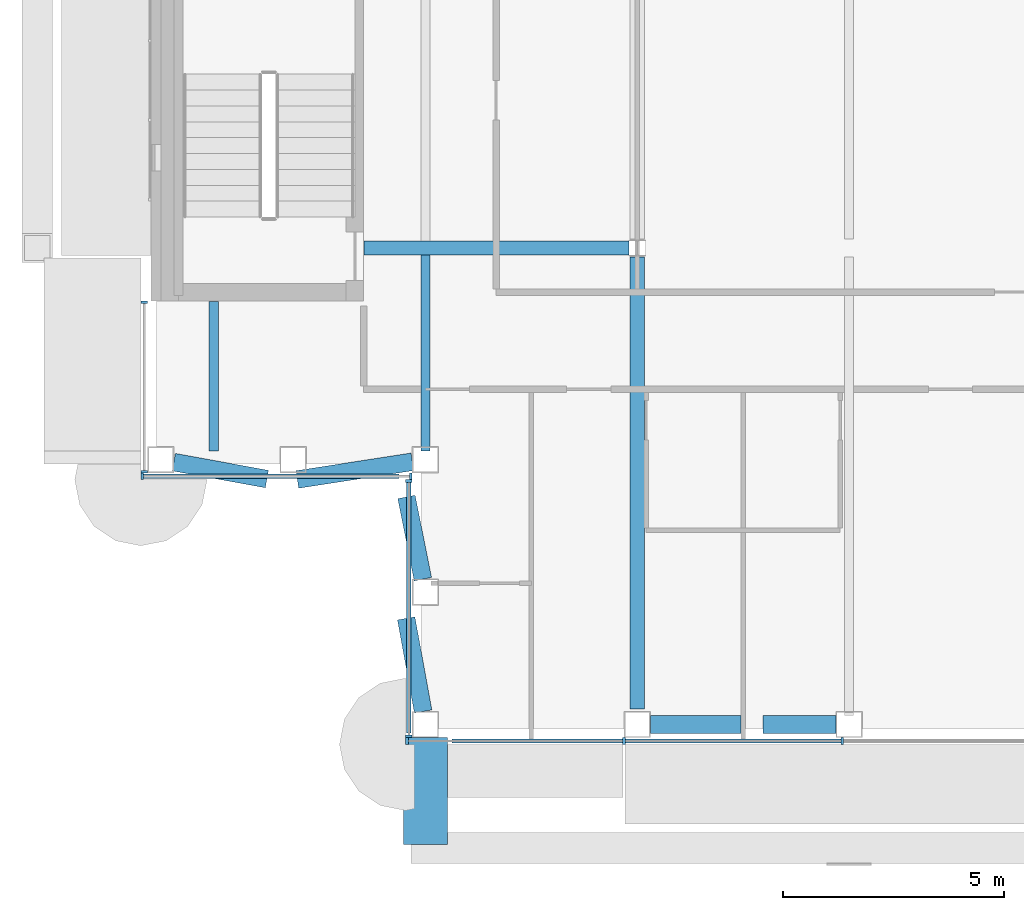
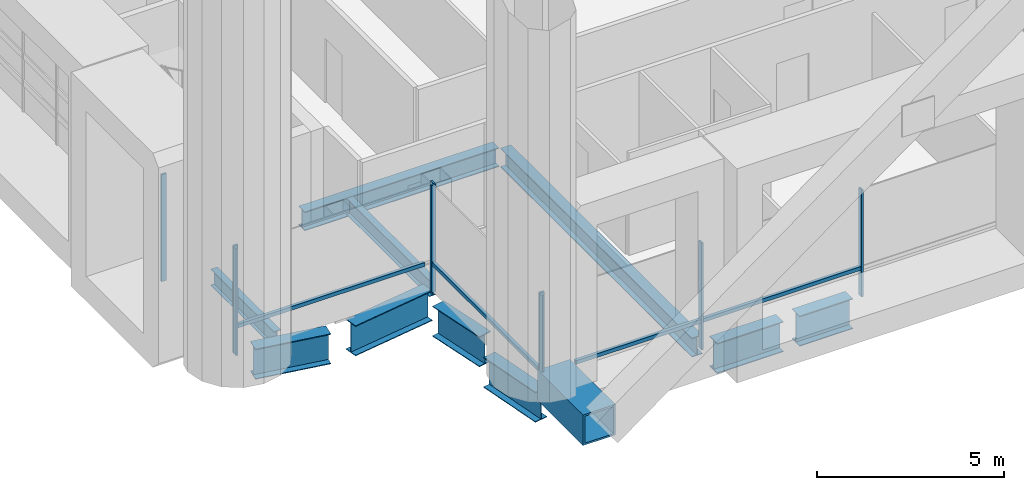
# One storey, part 4 of 29: 13 members, 11 beams, 4 elements without a shape of their own.
"""IFC4 building model written with IfcOpenShell, lengths in metres."""

from ifc_helpers import new_model, si_unit, direction, frame, origin, origin_2d, place, context, subcontext, project, spatial, rectangle, hollow_rectangle, i_section, extrude, material, material_profile, profile_set, type_object, element, aggregate, save


model = new_model("IFC4")

# Units and contexts
model_context = context("Model", 3, precision=1e-05, world=origin(), true_north=direction((0.0, 1.0)))
body_context = subcontext(model_context, "Body", "Model", "MODEL_VIEW")
ifc_project = project(units=[si_unit("LENGTHUNIT", "METRE"), si_unit("AREAUNIT", "SQUARE_METRE"), si_unit("VOLUMEUNIT", "CUBIC_METRE"), si_unit("PLANEANGLEUNIT", "RADIAN"), si_unit("MASSUNIT", "GRAM", prefix="KILO")], contexts=[model_context])

# Site, building, storey
site_placement = place(None, origin())
site = spatial("IfcSite", under=ifc_project, at=site_placement, CompositionType="ELEMENT")
building_placement = place(site_placement, origin())
building = spatial("IfcBuilding", under=site, at=building_placement, Name="Cobrizo Arcos Hotel Tower", CompositionType="ELEMENT")
storey_placement = place(building_placement, frame((0.0, 0.0, 241.0)))
storey = spatial("IfcBuildingStorey", under=building, at=storey_placement, Name="L63", CompositionType="ELEMENT", Elevation=241.0)

# Beam
ifc_material_1 = material(Name="Steel ASTM A572 Grade 50", Category="steel")
ifc_material_profile_1 = material_profile(ifc_material_1, hollow_rectangle(XDim=1.0, YDim=1.0, WallThickness=0.06005859375, at=origin_2d()), Name="BOX 1000X1000X60")
ifc_profile_set_1 = profile_set([ifc_material_profile_1], Name="Steel ASTM A572 Grade 50")
beam_type_1 = type_object("IfcBeamType", Name="BOX 1000X1000X60 brace connector strut", PredefinedType="BEAM", material=ifc_profile_set_1)
beam_1_placement = place(storey_placement, frame((-14.39990234375, -20.68994140625, 0.5), z_axis=(0.0, -1.0, 0.0), x_axis=(1.0, 0.0, 0.0)))
element("IfcBeam", 1, at=beam_1_placement, inside=storey, type_object=beam_type_1, Name="Perimeter brace stub BS1, zone Z5, south face, offset -14.40 m, L63", PredefinedType="BEAM", context=body_context, shape_type="SweptSolid", body=[
    extrude(hollow_rectangle(XDim=1.0, YDim=1.0, WallThickness=0.06005859375, at=origin_2d()), origin(), (0.0, 0.0, 1.0), 2.43017578125),
])

# Curtain wall, members
ifc_material_2 = material(Name="Aluminium 6063-T6 anodised bronze", Category="aluminium")
curtain_wall_type = type_object("IfcCurtainWallType", Name="CW-A guest facade", PredefinedType="NOTDEFINED", material=ifc_material_2)
curtain_wall_1_placement = place(storey_placement, origin())
curtain_wall_1 = element("IfcCurtainWall", 2, at=curtain_wall_1_placement, inside=storey, type_object=curtain_wall_type, Name="CW-A L63 S face", PredefinedType="NOTDEFINED")
ifc_material_profile_2 = material_profile(ifc_material_2, rectangle(XDim=0.14990234375, YDim=0.06005859375, at=origin_2d()), Name="CW-A mullion 150x60")
ifc_profile_set_2 = profile_set([ifc_material_profile_2], Name="Aluminium 6063-T6 anodised bronze")
member_type_1 = type_object("IfcMemberType", Name="CW-A mullion 150x60", PredefinedType="MULLION", material=ifc_profile_set_2)
member_1_placement = place(storey_placement, frame((-14.820068359375, -20.77490234375, 0.0), z_axis=(0.0, 0.0, 1.0), x_axis=(0.0, -1.0, 0.0)))
member_1 = element("IfcMember", 3, at=member_1_placement, type_object=member_type_1, Name="CW-A mullion 1", PredefinedType="MULLION", context=body_context, shape_type="SweptSolid", body=[
    extrude(rectangle(XDim=0.14990234375, YDim=0.06005859375, at=origin_2d()), origin(), (0.0, 0.0, 1.0), 3.5),
])
member_2_placement = place(storey_placement, frame((-9.89990234375, -20.77490234375, 0.0), z_axis=(0.0, 0.0, 1.0), x_axis=(0.0, -1.0, 0.0)))
member_2 = element("IfcMember", 4, at=member_2_placement, type_object=member_type_1, Name="CW-A mullion 2", PredefinedType="MULLION", context=body_context, shape_type="SweptSolid", body=[
    extrude(rectangle(XDim=0.14990234375, YDim=0.06005859375, at=origin_2d()), origin(), (0.0, 0.0, 1.0), 3.5),
])
member_3_placement = place(storey_placement, frame((-4.949951171875, -20.77490234375, 0.0), z_axis=(0.0, 0.0, 1.0), x_axis=(0.0, -1.0, 0.0)))
member_3 = element("IfcMember", 5, at=member_3_placement, type_object=member_type_1, Name="CW-A mullion 3", PredefinedType="MULLION", context=body_context, shape_type="SweptSolid", body=[
    extrude(rectangle(XDim=0.14990234375, YDim=0.06005859375, at=origin_2d()), origin(), (0.0, 0.0, 1.0), 3.5),
])

curtain_wall_2_placement = place(storey_placement, origin())
curtain_wall_2 = element("IfcCurtainWall", 6, at=curtain_wall_2_placement, inside=storey, type_object=curtain_wall_type, Name="CW-A L63 W face", PredefinedType="NOTDEFINED")
member_4_placement = place(storey_placement, frame((-20.77490234375, -10.830078125, 0.0), z_axis=(0.0, 0.0, 1.0), x_axis=(-1.0, 0.0, 0.0)))
member_4 = element("IfcMember", 7, at=member_4_placement, type_object=member_type_1, Name="CW-A mullion 1", PredefinedType="MULLION", context=body_context, shape_type="SweptSolid", body=[
    extrude(rectangle(XDim=0.14990234375, YDim=0.06005859375, at=origin_2d()), origin(), (0.0, 0.0, 1.0), 3.5),
])
member_5_placement = place(storey_placement, frame((-20.77490234375, -14.669921875, 0.0), z_axis=(0.0, 0.0, 1.0), x_axis=(-1.0, 0.0, 0.0)))
member_5 = element("IfcMember", 8, at=member_5_placement, type_object=member_type_1, Name="CW-A mullion 2", PredefinedType="MULLION", context=body_context, shape_type="SweptSolid", body=[
    extrude(rectangle(XDim=0.14990234375, YDim=0.06005859375, at=origin_2d()), origin(), (0.0, 0.0, 1.0), 3.5),
])
aggregate(curtain_wall_2, [member_4, member_5])

curtain_wall_3_placement = place(storey_placement, origin())
curtain_wall_3 = element("IfcCurtainWall", 9, at=curtain_wall_3_placement, inside=storey, type_object=curtain_wall_type, Name="CW-A L63 S face", PredefinedType="NOTDEFINED")
member_6_placement = place(storey_placement, frame((-20.820068359375, -14.77490234375, 0.0), z_axis=(0.0, 0.0, 1.0), x_axis=(0.0, -1.0, 0.0)))
member_6 = element("IfcMember", 10, at=member_6_placement, type_object=member_type_1, Name="CW-A mullion 1", PredefinedType="MULLION", context=body_context, shape_type="SweptSolid", body=[
    extrude(rectangle(XDim=0.14990234375, YDim=0.06005859375, at=origin_2d()), origin(), (0.0, 0.0, 1.0), 3.5),
])
member_7_placement = place(storey_placement, frame((-14.72998046875, -14.77490234375, 0.0), z_axis=(0.0, 0.0, 1.0), x_axis=(0.0, -1.0, 0.0)))
member_7 = element("IfcMember", 11, at=member_7_placement, type_object=member_type_1, Name="CW-A mullion 2", PredefinedType="MULLION", context=body_context, shape_type="SweptSolid", body=[
    extrude(rectangle(XDim=0.14990234375, YDim=0.06005859375, at=origin_2d()), origin(), (0.0, 0.0, 1.0), 3.5),
])

curtain_wall_4_placement = place(storey_placement, origin())
curtain_wall_4 = element("IfcCurtainWall", 12, at=curtain_wall_4_placement, inside=storey, type_object=curtain_wall_type, Name="CW-A L63 W face", PredefinedType="NOTDEFINED")
member_8_placement = place(storey_placement, frame((-14.77490234375, -14.8798828125, 0.0), z_axis=(0.0, 0.0, 1.0), x_axis=(-1.0, 0.0, 0.0)))
member_8 = element("IfcMember", 13, at=member_8_placement, type_object=member_type_1, Name="CW-A mullion 1", PredefinedType="MULLION", context=body_context, shape_type="SweptSolid", body=[
    extrude(rectangle(XDim=0.14990234375, YDim=0.06005859375, at=origin_2d()), origin(), (0.0, 0.0, 1.0), 3.5),
])
member_9_placement = place(storey_placement, frame((-14.77490234375, -20.669921875, 0.0), z_axis=(0.0, 0.0, 1.0), x_axis=(-1.0, 0.0, 0.0)))
member_9 = element("IfcMember", 14, at=member_9_placement, type_object=member_type_1, Name="CW-A mullion 2", PredefinedType="MULLION", context=body_context, shape_type="SweptSolid", body=[
    extrude(rectangle(XDim=0.14990234375, YDim=0.06005859375, at=origin_2d()), origin(), (0.0, 0.0, 1.0), 3.5),
])

# Member
ifc_material_profile_3 = material_profile(ifc_material_2, rectangle(XDim=0.10009765625, YDim=0.1201171875, at=origin_2d()), Name="CW-A transom 120x100")
ifc_profile_set_3 = profile_set([ifc_material_profile_3], Name="Aluminium 6063-T6 anodised bronze")
member_type_2 = type_object("IfcMemberType", Name="CW-A transom 120x100", PredefinedType="USERDEFINED", material=ifc_profile_set_3)
member_10_placement = place(storey_placement, frame((-13.800048828125, -20.77490234375, 0.929931640625), z_axis=(1.0, 0.0, 0.0), x_axis=(0.0, 1.0, 0.0)))
member_10 = element("IfcMember", 15, at=member_10_placement, type_object=member_type_2, Name="CW-A transom 2012", ObjectType="TRANSOM", PredefinedType="USERDEFINED", context=body_context, shape_type="SweptSolid", body=[
    extrude(rectangle(XDim=0.10009765625, YDim=0.1201171875, at=origin_2d()), origin(), (0.0, 0.0, 1.0), 3.8701171875),
])

member_11_placement = place(storey_placement, frame((-9.8701171875, -20.77490234375, 0.929931640625), z_axis=(1.0, 0.0, 0.0), x_axis=(0.0, 1.0, 0.0)))
member_11 = element("IfcMember", 16, at=member_11_placement, type_object=member_type_2, Name="CW-A transom 2013", ObjectType="TRANSOM", PredefinedType="USERDEFINED", context=body_context, shape_type="SweptSolid", body=[
    extrude(rectangle(XDim=0.10009765625, YDim=0.1201171875, at=origin_2d()), origin(), (0.0, 0.0, 1.0), 4.89013671875),
])

aggregate(curtain_wall_1, [member_1, member_2, member_3, member_10, member_11])

member_12_placement = place(storey_placement, frame((-20.7900390625, -14.77490234375, 0.929931640625), z_axis=(1.0, 0.0, 0.0), x_axis=(0.0, 1.0, 0.0)))
member_12 = element("IfcMember", 17, at=member_12_placement, type_object=member_type_2, Name="CW-A transom 2034", ObjectType="TRANSOM", PredefinedType="USERDEFINED", context=body_context, shape_type="SweptSolid", body=[
    extrude(rectangle(XDim=0.10009765625, YDim=0.1201171875, at=origin_2d()), origin(), (0.0, 0.0, 1.0), 5.7900390625),
])

aggregate(curtain_wall_3, [member_6, member_7, member_12])

member_13_placement = place(storey_placement, frame((-14.77490234375, -14.909912109375, 0.929931640625), z_axis=(0.0, -1.0, 0.0), x_axis=(1.0, 0.0, 0.0)))
member_13 = element("IfcMember", 18, at=member_13_placement, type_object=member_type_2, Name="CW-A transom 2035", ObjectType="TRANSOM", PredefinedType="USERDEFINED", context=body_context, shape_type="SweptSolid", body=[
    extrude(rectangle(XDim=0.10009765625, YDim=0.1201171875, at=origin_2d()), origin(), (0.0, 0.0, 1.0), 5.68017578125),
])

aggregate(curtain_wall_4, [member_8, member_9, member_13])

# Beams
ifc_material_3 = material(Name="Steel ASTM A992 Grade 50", Category="steel")
ifc_material_profile_4 = material_profile(ifc_material_3, i_section(OverallWidth=0.209228515625, OverallDepth=0.533447265625, WebThickness=0.01025390625, FlangeThickness=0.015625, at=origin_2d()), Name="W21X62")
ifc_profile_set_4 = profile_set([ifc_material_profile_4], Name="Steel ASTM A992 Grade 50")
beam_type_2 = type_object("IfcBeamType", Name="W21X62 joist", PredefinedType="JOIST", material=ifc_profile_set_4)
beam_2_placement = place(storey_placement, frame((-19.199951171875, -14.199462890625, -0.416748046875), z_axis=(0.0, 1.0, 0.0), x_axis=(-1.0, 0.0, 0.0)))
element("IfcBeam", 19, at=beam_2_placement, inside=storey, type_object=beam_type_2, Name="Floor joist J1, L63, no. 001", PredefinedType="JOIST", context=body_context, shape_type="SweptSolid", body=[
    extrude(i_section(OverallWidth=0.209228515625, OverallDepth=0.533447265625, WebThickness=0.01025390625, FlangeThickness=0.015625, at=origin_2d()), origin(), (0.0, 0.0, 1.0), 3.389404296875),
])
beam_3_placement = place(storey_placement, frame((-14.39990234375, -14.199462890625, -0.416748046875), z_axis=(0.0, 1.0, 0.0), x_axis=(-1.0, 0.0, 0.0)))
element("IfcBeam", 20, at=beam_3_placement, inside=storey, type_object=beam_type_2, Name="Floor joist J1, L63, no. 003", PredefinedType="JOIST", context=body_context, shape_type="SweptSolid", body=[
    extrude(i_section(OverallWidth=0.209228515625, OverallDepth=0.533447265625, WebThickness=0.01025390625, FlangeThickness=0.015625, at=origin_2d()), origin(), (0.0, 0.0, 1.0), 4.435546875),
])
ifc_material_profile_5 = material_profile(ifc_material_3, i_section(OverallWidth=0.32763671875, OverallDepth=0.622314453125, WebThickness=0.015380859375, FlangeThickness=0.0244140625, at=origin_2d()), Name="W24X131")
ifc_profile_set_5 = profile_set([ifc_material_profile_5], Name="Steel ASTM A992 Grade 50")
beam_type_3 = type_object("IfcBeamType", Name="W24X131 girder", PredefinedType="BEAM", material=ifc_profile_set_5)
beam_4_placement = place(storey_placement, frame((-15.7900390625, -9.60009765625, -0.461181640625), z_axis=(1.0, 0.0, 0.0), x_axis=(0.0, 1.0, 0.0)))
element("IfcBeam", 21, at=beam_4_placement, inside=storey, type_object=beam_type_3, Name="Floor girder G1, L63, no. 001", PredefinedType="BEAM", context=body_context, shape_type="SweptSolid", body=[
    extrude(i_section(OverallWidth=0.32763671875, OverallDepth=0.622314453125, WebThickness=0.015380859375, FlangeThickness=0.0244140625, at=origin_2d()), origin(), (0.0, 0.0, 1.0), 6.00341796875),
])
beam_5_placement = place(storey_placement, frame((-9.60009765625, -20.050048828125, -0.461181640625), z_axis=(0.0, 1.0, 0.0), x_axis=(-1.0, 0.0, 0.0)))
element("IfcBeam", 22, at=beam_5_placement, inside=storey, type_object=beam_type_3, Name="Floor girder G1, L63, no. 007", PredefinedType="BEAM", context=body_context, shape_type="SweptSolid", body=[
    extrude(i_section(OverallWidth=0.32763671875, OverallDepth=0.622314453125, WebThickness=0.015380859375, FlangeThickness=0.0244140625, at=origin_2d()), origin(), (0.0, 0.0, 1.0), 10.24951171875),
])
ifc_material_profile_6 = material_profile(ifc_material_3, i_section(OverallWidth=0.4013671875, OverallDepth=0.990478515625, WebThickness=0.0166015625, FlangeThickness=0.025390625, at=origin_2d()), Name="W40X215")
ifc_profile_set_6 = profile_set([ifc_material_profile_6], Name="Steel ASTM A992 Grade 50")
beam_type_4 = type_object("IfcBeamType", Name="W40X215 transfer girder", PredefinedType="BEAM", material=ifc_profile_set_6)
beam_6_placement = place(storey_placement, frame((-14.83740234375, -17.994384765625, -0.645263671875), z_axis=(0.178925502795, -0.983862624785, 0.0), x_axis=(0.983862624785, 0.178925502795, 0.0)))
element("IfcBeam", 23, at=beam_6_placement, inside=storey, type_object=beam_type_4, Name="Setback transfer girder TG1, L63, no. 002", PredefinedType="BEAM", context=body_context, shape_type="SweptSolid", body=[
    extrude(i_section(OverallWidth=0.4013671875, OverallDepth=0.990478515625, WebThickness=0.0166015625, FlangeThickness=0.025390625, at=origin_2d()), origin(), (0.0, 0.0, 1.0), 2.14501953125),
])
beam_7_placement = place(storey_placement, frame((-7.25, -20.39990234375, -0.645263671875), z_axis=(-1.0, 0.0, 0.0), x_axis=(0.0, -1.0, 0.0)))
element("IfcBeam", 24, at=beam_7_placement, inside=storey, type_object=beam_type_4, Name="Setback transfer girder TG1, L63, no. 004", PredefinedType="BEAM", context=body_context, shape_type="SweptSolid", body=[
    extrude(i_section(OverallWidth=0.4013671875, OverallDepth=0.990478515625, WebThickness=0.0166015625, FlangeThickness=0.025390625, at=origin_2d()), origin(), (0.0, 0.0, 1.0), 2.050048828125),
])
beam_8_placement = place(storey_placement, frame((-6.75, -20.39990234375, -0.645263671875), z_axis=(1.0, 0.0, 0.0), x_axis=(0.0, 1.0, 0.0)))
element("IfcBeam", 25, at=beam_8_placement, inside=storey, type_object=beam_type_4, Name="Setback transfer girder TG1, L63, no. 006", PredefinedType="BEAM", context=body_context, shape_type="SweptSolid", body=[
    extrude(i_section(OverallWidth=0.4013671875, OverallDepth=0.990478515625, WebThickness=0.0166015625, FlangeThickness=0.025390625, at=origin_2d()), origin(), (0.0, 0.0, 1.0), 1.64990234375),
])
beam_9_placement = place(storey_placement, frame((-17.994384765625, -14.83740234375, -0.645263671875), z_axis=(-0.983862624785, 0.178925502795, 0.0), x_axis=(-0.178925502795, -0.983862624785, 0.0)))
element("IfcBeam", 26, at=beam_9_placement, inside=storey, type_object=beam_type_4, Name="Setback transfer girder TG1, L63, no. 014", PredefinedType="BEAM", context=body_context, shape_type="SweptSolid", body=[
    extrude(i_section(OverallWidth=0.4013671875, OverallDepth=0.990478515625, WebThickness=0.0166015625, FlangeThickness=0.025390625, at=origin_2d()), origin(), (0.0, 0.0, 1.0), 2.14501953125),
])
beam_10_placement = place(storey_placement, frame((-17.30419921875, -14.8466796875, -0.645263671875), z_axis=(0.988374906765, 0.152036323548, 0.0), x_axis=(-0.152036323548, 0.988374906765, 0.0)))
element("IfcBeam", 27, at=beam_10_placement, inside=storey, type_object=beam_type_4, Name="Setback transfer girder TG1, L63, no. 017", PredefinedType="BEAM", context=body_context, shape_type="SweptSolid", body=[
    extrude(i_section(OverallWidth=0.4013671875, OverallDepth=0.990478515625, WebThickness=0.0166015625, FlangeThickness=0.025390625, at=origin_2d()), origin(), (0.0, 0.0, 1.0), 2.638427734375),
])
beam_11_placement = place(storey_placement, frame((-14.831298828125, -15.2431640625, -0.645263671875), z_axis=(0.196140852897, -0.980575731815, 0.0), x_axis=(0.980575731815, 0.196140852897, 0.0)))
element("IfcBeam", 28, at=beam_11_placement, inside=storey, type_object=beam_type_4, Name="Setback transfer girder TG1, L63, no. 018", PredefinedType="BEAM", context=body_context, shape_type="SweptSolid", body=[
    extrude(i_section(OverallWidth=0.4013671875, OverallDepth=0.990478515625, WebThickness=0.0166015625, FlangeThickness=0.025390625, at=origin_2d()), origin(), (0.0, 0.0, 1.0), 1.8994140625),
])

save(model, "model.ifc")
